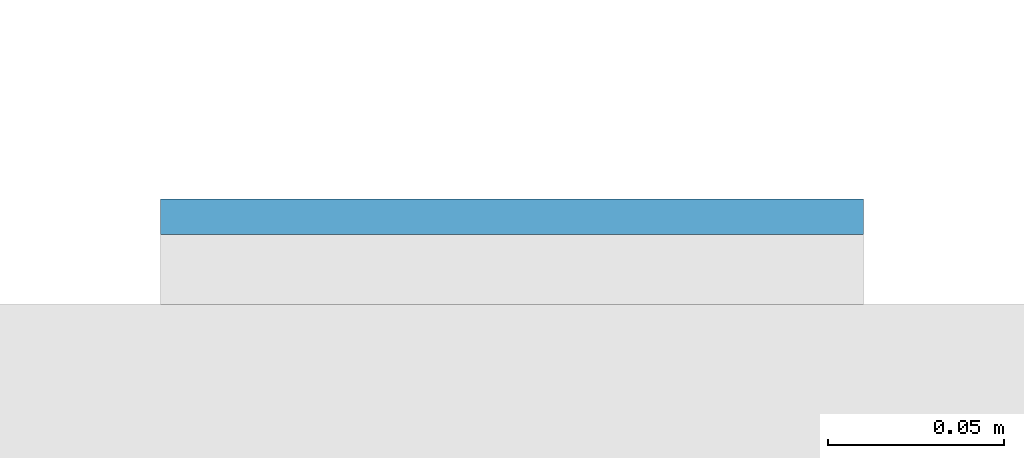
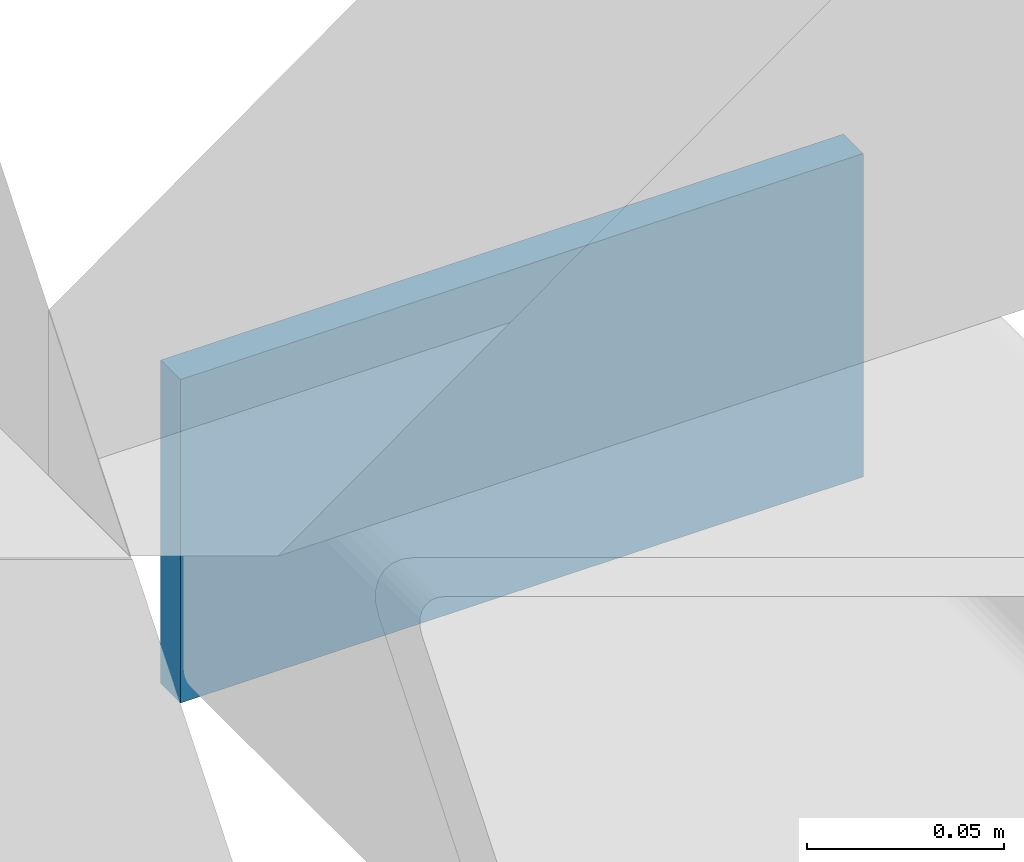
# One storey, part 11 of 20: 1 plate.
"""IFC4 building model written with IfcOpenShell, lengths in metres."""

import ifcopenshell
import ifcopenshell.guid

model = None  # the IFC model being written
_history = None  # IfcOwnerHistory: only IFC2X3 demands one
_inside = {}  # id of a spatial element -> (the spatial element, [elements in it])
_under = {}  # id of a project, library or spatial element -> (it, [spatial elements below it])
_declared = {}  # id of a project -> (the project, [libraries it declares])
_typed = {}  # id of a type object -> (the type object, [elements of that type])
_made_of = {}  # id of a material, layer set ... -> (it, [elements and type objects made of it])


def new_model(schema):
    """Start an empty IFC model of exactly this schema.

    Asked for "IFC4X3", IfcOpenShell would pick the latest addendum, in which some entities
    have other attributes; the version numbers below select the first issue.
    IFC2X3 requires an IfcOwnerHistory on every rooted entity: one is made here for all.
    """
    global model, _history
    if schema == "IFC4X3":
        model = ifcopenshell.file(schema_version=(4, 3, 0, 0))
    else:
        model = ifcopenshell.file(schema=schema)
    _inside.clear()
    _under.clear()
    _declared.clear()
    _typed.clear()
    _made_of.clear()
    _history = None
    if model.schema == "IFC2X3":
        org = make("IfcOrganization", Name="unknown")
        user = make(
            "IfcPersonAndOrganization",
            ThePerson=make("IfcPerson", FamilyName="unknown"),
            TheOrganization=org,
        )
        app = make(
            "IfcApplication",
            ApplicationDeveloper=org,
            Version="unknown",
            ApplicationFullName="unknown",
            ApplicationIdentifier="unknown",
        )
        _history = make(
            "IfcOwnerHistory",
            OwningUser=user,
            OwningApplication=app,
            ChangeAction="ADDED",
            CreationDate=0,
        )
    return model


def make(cls, **values):
    """One entity of the class cls with the attributes given. An attribute that is None is left unset."""
    return model.create_entity(
        cls, **{name: value for name, value in values.items() if value is not None}
    )


def rooted(cls, **values):
    """An entity with a GlobalId (a new one), such as an element, a storey or a relation."""
    return make(cls, GlobalId=ifcopenshell.guid.new(), OwnerHistory=_history, **values)


def si_unit(unit_type, name, prefix=None):
    """IfcSIUnit, for example si_unit("LENGTHUNIT", "METRE", prefix="MILLI")."""
    return make("IfcSIUnit", UnitType=unit_type, Prefix=prefix, Name=name)


def assignment(units):
    """IfcUnitAssignment: the units of a project."""
    return None if units is None else make("IfcUnitAssignment", Units=units)


def point(xyz):
    """IfcCartesianPoint."""
    return None if xyz is None else make("IfcCartesianPoint", Coordinates=xyz)


def direction(xyz):
    """IfcDirection."""
    return None if xyz is None else make("IfcDirection", DirectionRatios=xyz)


def frame(location, z_axis=None, x_axis=None):
    """IfcAxis2Placement3D, a coordinate frame: its origin and axes. An axis left out is left unset."""
    return make(
        "IfcAxis2Placement3D",
        Location=point(location),
        Axis=direction(z_axis),
        RefDirection=direction(x_axis),
    )


def frame_2d(location, x_axis=None):
    """IfcAxis2Placement2D, a coordinate frame in the plane: its origin and x axis."""
    return make(
        "IfcAxis2Placement2D", Location=point(location), RefDirection=direction(x_axis)
    )


def origin():
    """The frame at (0, 0, 0) with its axes left unset."""
    return frame((0.0, 0.0, 0.0))


def origin_2d():
    """The frame at (0, 0) in the plane with its x axis left unset."""
    return frame_2d((0.0, 0.0))


def place(relative_to, where):
    """IfcLocalPlacement: puts the frame where relative to a parent placement (None: the world)."""
    return make(
        "IfcLocalPlacement", PlacementRelTo=relative_to, RelativePlacement=where
    )


def context(
    kind, dimensions, precision=None, world=None, true_north=None, identifier=None
):
    """IfcGeometricRepresentationContext, for example the 3D "Model" context."""
    return make(
        "IfcGeometricRepresentationContext",
        ContextIdentifier=identifier,
        ContextType=kind,
        CoordinateSpaceDimension=dimensions,
        Precision=precision,
        WorldCoordinateSystem=world,
        TrueNorth=true_north,
    )


def subcontext(parent, identifier, kind, view, scale=None):
    """IfcGeometricRepresentationSubContext, for example "Body" below "Model"."""
    return make(
        "IfcGeometricRepresentationSubContext",
        ContextIdentifier=identifier,
        ContextType=kind,
        ParentContext=parent,
        TargetScale=scale,
        TargetView=view,
    )


def project(units=None, contexts=None):
    """IfcProject with its units and contexts."""
    return rooted(
        "IfcProject",
        Name="project",
        RepresentationContexts=contexts,
        UnitsInContext=assignment(units),
    )


def spatial(cls, under=None, at=None, **own):
    """A site, building, storey or space (cls), placed at a placement, below another one or the project."""
    s = rooted(cls, ObjectPlacement=at, **own)
    if under is not None:
        _under.setdefault(under.id(), (under, []))[1].append(s)
    return s


def profile(cls, at=None, kind="AREA", **sizes):
    """A parametric profile (cls). Its sizes go by their IFC names, for example OverallWidth=200.0."""
    return make(cls, ProfileType=kind, Position=at, **sizes)


def rectangle(**sizes):
    """IfcRectangleProfileDef."""
    return profile("IfcRectangleProfileDef", **sizes)


def extrude(swept, where, along, depth):
    """IfcExtrudedAreaSolid: the profile swept, set in the frame where, extruded along a direction by depth."""
    return make(
        "IfcExtrudedAreaSolid",
        SweptArea=swept,
        Position=where,
        ExtrudedDirection=direction(along),
        Depth=depth,
    )


def shape(context_of_items, identifier, shape_type, items):
    """IfcShapeRepresentation: the items that make up one representation, for example the "Body"."""
    return make(
        "IfcShapeRepresentation",
        ContextOfItems=context_of_items,
        RepresentationIdentifier=identifier,
        RepresentationType=shape_type,
        Items=items,
    )


def material(Name=None, Category=None):
    """IfcMaterial."""
    return make("IfcMaterial", Name=Name, Category=Category)


def layer(
    of_material, thickness, ventilated=None, Name=None, Category=None, Priority=None
):
    """IfcMaterialLayer: one layer of a wall or slab, of a material (None: an air gap)."""
    return make(
        "IfcMaterialLayer",
        Material=of_material,
        LayerThickness=thickness,
        IsVentilated=ventilated,
        Name=Name,
        Category=Category,
        Priority=Priority,
    )


def layer_set(layers, Name=None):
    """IfcMaterialLayerSet."""
    return make("IfcMaterialLayerSet", MaterialLayers=layers, LayerSetName=Name)


def made_of(thing, what):
    """Note that an element or type object is made of a material, layer set ...; save() writes the relation."""
    if what is not None:
        _made_of.setdefault(what.id(), (what, []))[1].append(thing)
    return thing


def type_object(cls, material=None, **own):
    """A type object (cls), such as IfcWallType, which elements share."""
    return made_of(rooted(cls, **own), material)


def element(
    cls,
    number,
    at=None,
    inside=None,
    cuts=None,
    type_object=None,
    material=None,
    context=None,
    identifier="Body",
    shape_type=None,
    held_by="IfcProductDefinitionShape",
    body=None,
    shapes=None,
    **own,
):
    """One element of the class cls, such as IfcWall. Its Tag is "e" and its number.

    at: its placement. inside: the storey or other place that contains it. cuts: it is an
    opening in that element (IfcRelVoidsElement). A single representation is given by context,
    identifier, shape_type and body (its items); several are given by shapes. held_by: the class
    of the entity that holds the representations. save() writes the other relations.
    """
    e = rooted(cls, Tag="e%d" % number, ObjectPlacement=at, **own)
    if body is not None:
        shapes = [shape(context, identifier, shape_type, body)]
    if shapes is not None:
        e.Representation = make(held_by, Representations=shapes)
    if inside is not None:
        _inside.setdefault(inside.id(), (inside, []))[1].append(e)
    if cuts is not None:
        rooted(
            "IfcRelVoidsElement", RelatingBuildingElement=cuts, RelatedOpeningElement=e
        )
    if type_object is not None:
        _typed.setdefault(type_object.id(), (type_object, []))[1].append(e)
    return made_of(e, material)


def aggregate(whole, parts):
    """IfcRelAggregates: a whole, such as a stair, and the parts it consists of."""
    return rooted("IfcRelAggregates", RelatingObject=whole, RelatedObjects=parts)


def save(model, path):
    """Write the relations noted so far, then the file.

    IfcRelAggregates (storeys below a building ...), IfcRelContainedInSpatialStructure (elements
    in a storey), IfcRelDefinesByType, IfcRelAssociatesMaterial and IfcRelDeclares: one each for
    every whole, place, type object, material and project.
    """
    for whole, parts in _under.values():
        aggregate(whole, parts)
    for where, things in _inside.values():
        rooted(
            "IfcRelContainedInSpatialStructure",
            RelatedElements=things,
            RelatingStructure=where,
        )
    for kind, things in _typed.values():
        rooted("IfcRelDefinesByType", RelatedObjects=things, RelatingType=kind)
    for what, things in _made_of.values():
        rooted("IfcRelAssociatesMaterial", RelatedObjects=things, RelatingMaterial=what)
    for by, libraries in _declared.values():
        rooted("IfcRelDeclares", RelatingContext=by, RelatedDefinitions=libraries)
    model.write(path)


model = new_model("IFC4")

# Units and contexts
model_context = context("Model", 3, precision=1e-05, world=origin(), true_north=direction((0.0, 1.0)))
body_context = subcontext(model_context, "Body", "Model", "MODEL_VIEW")
ifc_project = project(units=[si_unit("LENGTHUNIT", "METRE"), si_unit("AREAUNIT", "SQUARE_METRE"), si_unit("VOLUMEUNIT", "CUBIC_METRE"), si_unit("PLANEANGLEUNIT", "RADIAN"), si_unit("MASSUNIT", "GRAM", prefix="KILO")], contexts=[model_context])

# Site, building, storey
site_placement = place(None, origin())
site = spatial("IfcSite", under=ifc_project, at=site_placement, CompositionType="ELEMENT")
building_placement = place(site_placement, origin())
building = spatial("IfcBuilding", under=site, at=building_placement, Name="Cleftline Residences", CompositionType="ELEMENT")
storey_placement = place(building_placement, frame((0.0, 0.0, 80.0)))
storey = spatial("IfcBuildingStorey", under=building, at=storey_placement, Name="L20", CompositionType="ELEMENT", Elevation=80.0)

# Plate
ifc_material = material(Name="Steel S355, hot-dip galvanised", Category="steel")
ifc_layer = layer(ifc_material, 0.010009765625)
ifc_layer_set = layer_set([ifc_layer], Name="BAGUETTE CARRIER END PLATE 200X100X10")
plate_type = type_object("IfcPlateType", Name="BAGUETTE CARRIER END PLATE 200X100X10", PredefinedType="USERDEFINED", material=ifc_layer_set)
plate_placement = place(storey_placement, frame((66.85009765625, 44.304931640625, -0.10009765625), z_axis=(0.0, 0.0, 1.0), x_axis=(1.0, 0.0, 0.0)))
element("IfcPlate", 1, at=plate_placement, inside=storey, type_object=plate_type, Name="Baguette carrier end plate", ObjectType="BAGUETTE CARRIER END PLATE", PredefinedType="USERDEFINED", context=body_context, shape_type="SweptSolid", body=[
    extrude(rectangle(XDim=0.199951171875, YDim=0.010009765625, at=origin_2d()), origin(), (0.0, 0.0, 1.0), 0.10009765625),
])

save(model, "model.ifc")
